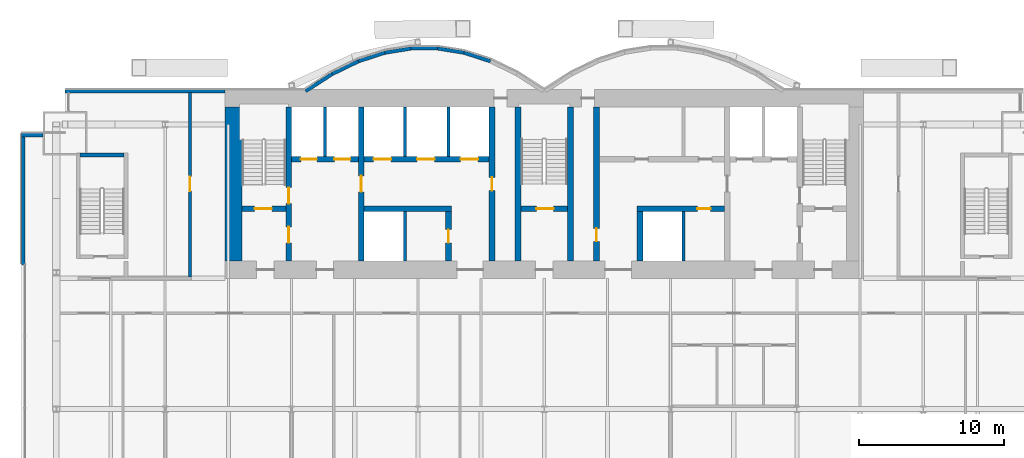
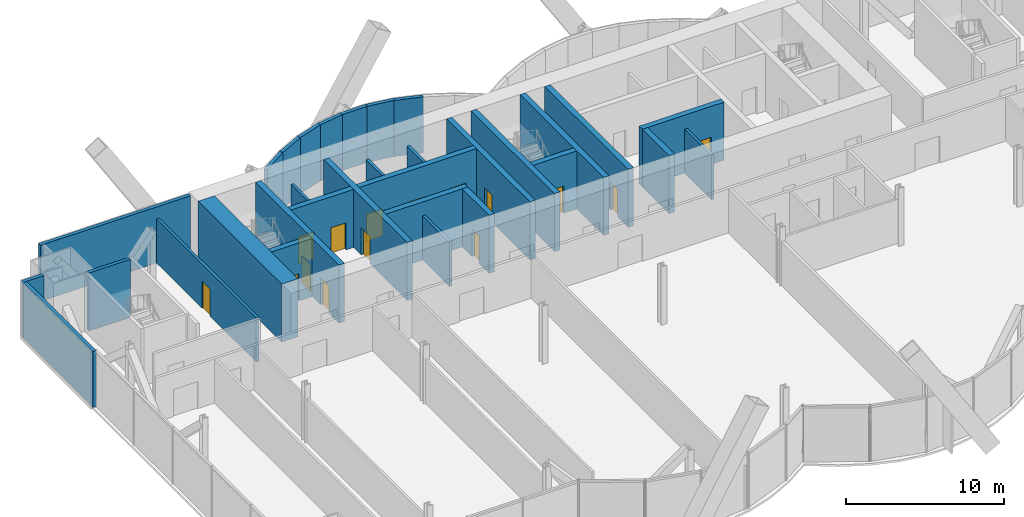
# One storey, part 17 of 22: 31 walls, 15 doors, 15 openings.
"""IFC4 building model written with IfcOpenShell, lengths in metres."""

from ifc_helpers import new_model, si_unit, direction, frame, frame_2d, origin, place, context, subcontext, project, spatial, rectangle, extrude, material, layer, layer_set, layer_usage, type_object, element, fill, save


model = new_model("IFC4")

# Units and contexts
model_context = context("Model", 3, precision=1e-05, world=origin(), true_north=direction((0.0, 1.0)))
body_context = subcontext(model_context, "Body", "Model", "MODEL_VIEW")
ifc_project = project(units=[si_unit("LENGTHUNIT", "METRE"), si_unit("AREAUNIT", "SQUARE_METRE"), si_unit("VOLUMEUNIT", "CUBIC_METRE"), si_unit("PLANEANGLEUNIT", "RADIAN"), si_unit("MASSUNIT", "GRAM", prefix="KILO")], contexts=[model_context])

# Site, building, storey
site_placement = place(None, origin())
site = spatial("IfcSite", under=ifc_project, at=site_placement, CompositionType="ELEMENT")
building_placement = place(site_placement, origin())
building = spatial("IfcBuilding", under=site, at=building_placement, Name="Bicima Exchange Tower", CompositionType="ELEMENT")
storey_placement = place(building_placement, frame((0.0, 0.0, 71.0)))
storey = spatial("IfcBuildingStorey", under=building, at=storey_placement, Name="L14", CompositionType="ELEMENT", Elevation=71.0)

# Walls
ifc_material_1 = material(Name="Gypsum board partition")
ifc_layer_1 = layer(ifc_material_1, 0.199951171875)
ifc_layer_set_1 = layer_set([ifc_layer_1], Name="Gypsum board partition")
wall_type_1 = type_object("IfcWallType", Name="Fire-rated gypsum partition 200 EI120", PredefinedType="PARTITIONING", material=ifc_layer_set_1)
for number, where, z_axis, x_axis, name in (
    (1, (-15.10009765625, -4.60009765625, 0.0), (0.0, 0.0, 1.0), (0.0, 1.0, 0.0), "partition wall 9"),
    (2, (-9.60009765625, -11.800048828125, 0.0), (0.0, 0.0, 1.0), (0.0, 1.0, 0.0), "partition wall 11"),
    (3, (-9.60009765625, -4.60009765625, 0.0), (0.0, 0.0, 1.0), (0.0, 1.0, 0.0), "partition wall 12"),
    (4, (-6.60009765625, -4.60009765625, 0.0), (0.0, 0.0, 1.0), (0.0, 1.0, 0.0), "partition wall 14"),
    (5, (9.60009765625, -11.800048828125, 0.0), (0.0, 0.0, 1.0), (0.0, 1.0, 0.0), "partition wall 20"),
):
    element("IfcWall", number, at=place(storey_placement, frame(where, z_axis=z_axis, x_axis=x_axis)), inside=storey, type_object=wall_type_1, Name=name, PredefinedType="PARTITIONING", context=body_context, shape_type="SweptSolid", body=[
        extrude(rectangle(XDim=3.400146484375, YDim=0.199951171875, at=frame_2d((1.7001953125, 0.0))), origin(), (0.0, 0.0, 1.0), 3.418212890625),
    ])

# Wall, opening, door
ifc_layer_2 = layer(ifc_material_1, 0.199951171875)
ifc_layer_set_2 = layer_set([ifc_layer_2], Name="Gypsum board partition")
wall_type_2 = type_object("IfcWallType", Name="Fire-rated gypsum partition 200 EI60", PredefinedType="PARTITIONING", material=ifc_layer_set_2)
wall_1_placement = place(storey_placement, frame((-24.39990234375, -12.89990234375, 0.0), z_axis=(0.0, 0.0, 1.0), x_axis=(0.0, 1.0, 0.0)))
wall_1 = element("IfcWall", 6, at=wall_1_placement, inside=storey, type_object=wall_type_2, Name="partition wall 16", PredefinedType="PARTITIONING", context=body_context, shape_type="SweptSolid", body=[
    extrude(rectangle(XDim=12.68994140625, YDim=0.199951171875, at=frame_2d((6.344970703125, 0.0))), origin(), (0.0, 0.0, 1.0), 3.418212890625),
])
opening_1_placement = place(wall_1_placement, frame((5.89990234375, 0.0, 0.0)))
opening_1 = element("IfcOpeningElement", 7, at=opening_1_placement, cuts=wall_1, Name="Opening L14-005", PredefinedType="OPENING", context=body_context, shape_type="SweptSolid", body=[
    extrude(rectangle(XDim=1.0, YDim=2.10009765625, at=frame_2d((0.5, 1.050048828125))), frame((0.0, 0.11181640625, 0.0), z_axis=(0.0, -1.0, 0.0), x_axis=(1.0, 0.0, 0.0)), (0.0, 0.0, 1.0), 0.223876953125),
])
ifc_material_2 = material(Name="Steel fire door leaf", Category="steel")
door_type_1 = type_object("IfcDoorType", Name="Door 1000 swing FD30S", OperationType="SINGLE_SWING_LEFT", PredefinedType="DOOR", material=ifc_material_2)
door_1_placement = place(opening_1_placement, origin())
door_1 = element("IfcDoor", 8, at=door_1_placement, inside=storey, type_object=door_type_1, Name="Door", OperationType="SINGLE_SWING_LEFT", OverallHeight=2.10009765625, OverallWidth=1.0, PredefinedType="DOOR", context=body_context, shape_type="SweptSolid", body=[
    extrude(rectangle(XDim=1.0, YDim=2.10009765625, at=frame_2d((0.5, 1.050048828125))), frame((0.0, 0.02490234375, 0.0), z_axis=(0.0, -1.0, 0.0), x_axis=(1.0, 0.0, 0.0)), (0.0, 0.0, 1.0), 0.050048828125),
])
fill(opening_1, door_1)

# Wall
ifc_material_3 = material(Name="Concrete C60/75", Category="concrete")
ifc_layer_3 = layer(ifc_material_3, 1.199951171875)
ifc_layer_set_3 = layer_set([ifc_layer_3], Name="Concrete C60/75")
wall_type_3 = type_object("IfcWallType", Name="RC core wall 1200 C60/75", PredefinedType="SHEAR", material=ifc_layer_set_3)
wall_2_placement = place(storey_placement, frame((-21.39990234375, -11.800048828125, 0.0), z_axis=(0.0, 0.0, 1.0), x_axis=(0.0, 1.0, 0.0)))
element("IfcWall", 9, at=wall_2_placement, inside=storey, type_object=wall_type_3, Name="Core wall west", PredefinedType="SHEAR", context=body_context, shape_type="SweptSolid", body=[
    extrude(rectangle(XDim=10.60009765625, YDim=1.199951171875, at=frame_2d((5.300048828125, 0.0))), origin(), (0.0, 0.0, 1.0), 4.5),
])

# Wall, opening, door
ifc_material_4 = material(Name="Concrete C50/60", Category="concrete")
ifc_layer_4 = layer(ifc_material_4, 0.39990234375)
ifc_layer_set_4 = layer_set([ifc_layer_4], Name="Concrete C50/60")
wall_type_4 = type_object("IfcWallType", Name="RC core wall 400 C50/60", PredefinedType="SHEAR", material=ifc_layer_set_4)
wall_3_placement = place(storey_placement, frame((-20.800048828125, -8.199951171875, 0.0), z_axis=(0.0, 0.0, 1.0), x_axis=(1.0, 0.0, 0.0)))
wall_3 = element("IfcWall", 10, at=wall_3_placement, inside=storey, type_object=wall_type_4, Name="stair wall 1", PredefinedType="SHEAR", context=body_context, shape_type="SweptSolid", body=[
    extrude(rectangle(XDim=3.0, YDim=0.39990234375, at=frame_2d((1.5, 0.0))), origin(), (0.0, 0.0, 1.0), 4.5),
])
opening_2_placement = place(wall_3_placement, frame((0.85009765625, 0.0, 0.0)))
opening_2 = element("IfcOpeningElement", 11, at=opening_2_placement, cuts=wall_3, Name="Opening L14-C01", PredefinedType="OPENING", context=body_context, shape_type="SweptSolid", body=[
    extrude(rectangle(XDim=1.199951171875, YDim=2.10009765625, at=frame_2d((0.60009765625, 1.050048828125))), frame((0.0, 0.2119140625, 0.0), z_axis=(0.0, -1.0, 0.0), x_axis=(1.0, 0.0, 0.0)), (0.0, 0.0, 1.0), 0.423828125),
])
door_type_2 = type_object("IfcDoorType", Name="Door 1200 swing FD60S", OperationType="SINGLE_SWING_LEFT", PredefinedType="DOOR", material=ifc_material_2)
door_2_placement = place(opening_2_placement, origin())
door_2 = element("IfcDoor", 12, at=door_2_placement, inside=storey, type_object=door_type_2, Name="Core door", OperationType="SINGLE_SWING_LEFT", OverallHeight=2.10009765625, OverallWidth=1.199951171875, PredefinedType="DOOR", context=body_context, shape_type="SweptSolid", body=[
    extrude(rectangle(XDim=1.199951171875, YDim=2.10009765625, at=frame_2d((0.60009765625, 1.050048828125))), frame((0.0, 0.02490234375, 0.0), z_axis=(0.0, -1.0, 0.0), x_axis=(1.0, 0.0, 0.0)), (0.0, 0.0, 1.0), 0.050048828125),
])
fill(opening_2, door_2)

wall_4_placement = place(storey_placement, frame((-1.60009765625, -8.199951171875, 0.0), z_axis=(0.0, 0.0, 1.0), x_axis=(1.0, 0.0, 0.0)))
wall_4 = element("IfcWall", 13, at=wall_4_placement, inside=storey, type_object=wall_type_4, Name="stair wall 3", PredefinedType="SHEAR", context=body_context, shape_type="SweptSolid", body=[
    extrude(rectangle(XDim=3.2001953125, YDim=0.39990234375, at=frame_2d((1.60009765625, 0.0))), origin(), (0.0, 0.0, 1.0), 4.5),
])
opening_3_placement = place(wall_4_placement, frame((1.050048828125, 0.0, 0.0)))
opening_3 = element("IfcOpeningElement", 14, at=opening_3_placement, cuts=wall_4, Name="Opening L14-C03", PredefinedType="OPENING", context=body_context, shape_type="SweptSolid", body=[
    extrude(rectangle(XDim=1.199951171875, YDim=2.10009765625, at=frame_2d((0.60009765625, 1.050048828125))), frame((0.0, 0.2119140625, 0.0), z_axis=(0.0, -1.0, 0.0), x_axis=(1.0, 0.0, 0.0)), (0.0, 0.0, 1.0), 0.423828125),
])
door_3_placement = place(opening_3_placement, origin())
door_3 = element("IfcDoor", 15, at=door_3_placement, inside=storey, type_object=door_type_2, Name="Core door", OperationType="SINGLE_SWING_LEFT", OverallHeight=2.10009765625, OverallWidth=1.199951171875, PredefinedType="DOOR", context=body_context, shape_type="SweptSolid", body=[
    extrude(rectangle(XDim=1.199951171875, YDim=2.10009765625, at=frame_2d((0.60009765625, 1.050048828125))), frame((0.0, 0.02490234375, 0.0), z_axis=(0.0, -1.0, 0.0), x_axis=(1.0, 0.0, 0.0)), (0.0, 0.0, 1.0), 0.050048828125),
])
fill(opening_3, door_3)

# Wall, openings, doors
wall_5_placement = place(storey_placement, frame((-17.60009765625, -11.800048828125, 0.0), z_axis=(0.0, 0.0, 1.0), x_axis=(0.0, 1.0, 0.0)))
wall_5 = element("IfcWall", 16, at=wall_5_placement, inside=storey, type_object=wall_type_4, Name="stair wall 8", PredefinedType="SHEAR", context=body_context, shape_type="SweptSolid", body=[
    extrude(rectangle(XDim=10.60009765625, YDim=0.39990234375, at=frame_2d((5.300048828125, 0.0))), origin(), (0.0, 0.0, 1.0), 4.5),
])
opening_4_placement = place(wall_5_placement, frame((1.25, 0.0, 0.0)))
opening_4 = element("IfcOpeningElement", 17, at=opening_4_placement, cuts=wall_5, Name="Opening L14-C02", PredefinedType="OPENING", context=body_context, shape_type="SweptSolid", body=[
    extrude(rectangle(XDim=1.10009765625, YDim=2.10009765625, at=frame_2d((0.550048828125, 1.050048828125))), frame((0.0, 0.2119140625, 0.0), z_axis=(0.0, -1.0, 0.0), x_axis=(1.0, 0.0, 0.0)), (0.0, 0.0, 1.0), 0.423828125),
])
opening_5_placement = place(wall_5_placement, frame((3.949951171875, 0.0, 0.0)))
opening_5 = element("IfcOpeningElement", 18, at=opening_5_placement, cuts=wall_5, Name="Opening L14-C06", PredefinedType="OPENING", context=body_context, shape_type="SweptSolid", body=[
    extrude(rectangle(XDim=1.10009765625, YDim=2.10009765625, at=frame_2d((0.550048828125, 1.050048828125))), frame((0.0, 0.2119140625, 0.0), z_axis=(0.0, -1.0, 0.0), x_axis=(1.0, 0.0, 0.0)), (0.0, 0.0, 1.0), 0.423828125),
])
door_type_3 = type_object("IfcDoorType", Name="Door 1100 swing FD60S", OperationType="SINGLE_SWING_LEFT", PredefinedType="DOOR", material=ifc_material_2)
door_4_placement = place(opening_4_placement, frame((1.10009765625, 0.0, 0.0), z_axis=(0.0, 0.0, 1.0), x_axis=(-1.0, 0.0, 0.0)))
door_4 = element("IfcDoor", 19, at=door_4_placement, inside=storey, type_object=door_type_3, Name="Core door", OperationType="SINGLE_SWING_LEFT", OverallHeight=2.10009765625, OverallWidth=1.10009765625, PredefinedType="DOOR", context=body_context, shape_type="SweptSolid", body=[
    extrude(rectangle(XDim=1.10009765625, YDim=2.10009765625, at=frame_2d((0.550048828125, 1.050048828125))), frame((0.0, 0.02490234375, 0.0), z_axis=(0.0, -1.0, 0.0), x_axis=(1.0, 0.0, 0.0)), (0.0, 0.0, 1.0), 0.050048828125),
])
fill(opening_4, door_4)
door_5_placement = place(opening_5_placement, frame((1.10009765625, 0.0, 0.0), z_axis=(0.0, 0.0, 1.0), x_axis=(-1.0, 0.0, 0.0)))
door_5 = element("IfcDoor", 20, at=door_5_placement, inside=storey, type_object=door_type_3, Name="Core door", OperationType="SINGLE_SWING_LEFT", OverallHeight=2.10009765625, OverallWidth=1.10009765625, PredefinedType="DOOR", context=body_context, shape_type="SweptSolid", body=[
    extrude(rectangle(XDim=1.10009765625, YDim=2.10009765625, at=frame_2d((0.550048828125, 1.050048828125))), frame((0.0, 0.02490234375, 0.0), z_axis=(0.0, -1.0, 0.0), x_axis=(1.0, 0.0, 0.0)), (0.0, 0.0, 1.0), 0.050048828125),
])
fill(opening_5, door_5)

# Walls
for number, where, z_axis, x_axis, name in (
    (21, (-1.800048828125, -11.800048828125, 0.0), (0.0, 0.0, 1.0), (0.0, 1.0, 0.0), "stair wall 16"),
    (22, (1.800048828125, -11.800048828125, 0.0), (0.0, 0.0, 1.0), (0.0, 1.0, 0.0), "stair wall 17"),
):
    element("IfcWall", number, at=place(storey_placement, frame(where, z_axis=z_axis, x_axis=x_axis)), inside=storey, type_object=wall_type_4, Name=name, PredefinedType="SHEAR", context=body_context, shape_type="SweptSolid", body=[
        extrude(rectangle(XDim=10.60009765625, YDim=0.39990234375, at=frame_2d((5.300048828125, 0.0))), origin(), (0.0, 0.0, 1.0), 4.5),
    ])
ifc_layer_5 = layer(ifc_material_3, 0.39990234375)
ifc_layer_set_5 = layer_set([ifc_layer_5], Name="Concrete C60/75")
wall_type_5 = type_object("IfcWallType", Name="RC core wall 400 C60/75", PredefinedType="SHEAR", material=ifc_layer_set_5)
wall_6_placement = place(storey_placement, frame((-12.39990234375, -8.199951171875, 0.0), z_axis=(0.0, 0.0, 1.0), x_axis=(1.0, 0.0, 0.0)))
element("IfcWall", 23, at=wall_6_placement, inside=storey, type_object=wall_type_5, Name="shear wall 2", PredefinedType="SHEAR", context=body_context, shape_type="SweptSolid", body=[
    extrude(rectangle(XDim=6.0, YDim=0.39990234375, at=frame_2d((3.0, 0.0))), origin(), (0.0, 0.0, 1.0), 4.5),
])

# Wall, opening, door
wall_7_placement = place(storey_placement, frame((6.39990234375, -8.199951171875, 0.0), z_axis=(0.0, 0.0, 1.0), x_axis=(1.0, 0.0, 0.0)))
wall_7 = element("IfcWall", 24, at=wall_7_placement, inside=storey, type_object=wall_type_5, Name="shear wall 4", PredefinedType="SHEAR", context=body_context, shape_type="SweptSolid", body=[
    extrude(rectangle(XDim=6.0, YDim=0.39990234375, at=frame_2d((3.0, 0.0))), origin(), (0.0, 0.0, 1.0), 4.5),
])
opening_6_placement = place(wall_7_placement, frame((4.14990234375, 0.0, 0.0)))
opening_6 = element("IfcOpeningElement", 25, at=opening_6_placement, cuts=wall_7, Name="Opening L14-C15", PredefinedType="OPENING", context=body_context, shape_type="SweptSolid", body=[
    extrude(rectangle(XDim=0.89990234375, YDim=2.10009765625, at=frame_2d((0.449951171875, 1.050048828125))), frame((0.0, 0.2119140625, 0.0), z_axis=(0.0, -1.0, 0.0), x_axis=(1.0, 0.0, 0.0)), (0.0, 0.0, 1.0), 0.423828125),
])
door_type_4 = type_object("IfcDoorType", Name="Door 900 swing FD30S", OperationType="SINGLE_SWING_LEFT", PredefinedType="DOOR", material=ifc_material_2)
door_6_placement = place(opening_6_placement, frame((0.89990234375, 0.0, 0.0), z_axis=(0.0, 0.0, 1.0), x_axis=(-1.0, 0.0, 0.0)))
door_6 = element("IfcDoor", 26, at=door_6_placement, inside=storey, type_object=door_type_4, Name="Core door", OperationType="SINGLE_SWING_RIGHT", OverallHeight=2.10009765625, OverallWidth=0.89990234375, PredefinedType="DOOR", context=body_context, shape_type="SweptSolid", body=[
    extrude(rectangle(XDim=0.89990234375, YDim=2.10009765625, at=frame_2d((0.449951171875, 1.050048828125))), frame((0.0, 0.02490234375, 0.0), z_axis=(0.0, -1.0, 0.0), x_axis=(1.0, 0.0, 0.0)), (0.0, 0.0, 1.0), 0.050048828125),
])
fill(opening_6, door_6)

# Wall, openings, doors
wall_8_placement = place(storey_placement, frame((-17.39990234375, -4.800048828125, 0.0), z_axis=(0.0, 0.0, 1.0), x_axis=(1.0, 0.0, 0.0)))
wall_8 = element("IfcWall", 27, at=wall_8_placement, inside=storey, type_object=wall_type_5, Name="shear wall 6", PredefinedType="SHEAR", context=body_context, shape_type="SweptSolid", body=[
    extrude(rectangle(XDim=13.599853515625, YDim=0.39990234375, at=frame_2d((6.7998046875, 0.0))), origin(), (0.0, 0.0, 1.0), 4.5),
])
opening_7_placement = place(wall_8_placement, frame((0.64990234375, 0.0, 0.0)))
opening_7 = element("IfcOpeningElement", 28, at=opening_7_placement, cuts=wall_8, Name="Opening LD-FF1-L14", PredefinedType="OPENING", context=body_context, shape_type="SweptSolid", body=[
    extrude(rectangle(XDim=1.10009765625, YDim=2.10009765625, at=frame_2d((0.550048828125, 1.050048828125))), frame((0.0, 0.2119140625, 0.0), z_axis=(0.0, -1.0, 0.0), x_axis=(1.0, 0.0, 0.0)), (0.0, 0.0, 1.0), 0.423828125),
])
opening_8_placement = place(wall_8_placement, frame((2.949951171875, 0.0, 0.0)))
opening_8 = element("IfcOpeningElement", 29, at=opening_8_placement, cuts=wall_8, Name="Opening LD-FF3-L14", PredefinedType="OPENING", context=body_context, shape_type="SweptSolid", body=[
    extrude(rectangle(XDim=1.10009765625, YDim=2.10009765625, at=frame_2d((0.550048828125, 1.050048828125))), frame((0.0, 0.2119140625, 0.0), z_axis=(0.0, -1.0, 0.0), x_axis=(1.0, 0.0, 0.0)), (0.0, 0.0, 1.0), 0.423828125),
])
opening_9_placement = place(wall_8_placement, frame((5.64990234375, 0.0, 0.0)))
opening_9 = element("IfcOpeningElement", 30, at=opening_9_placement, cuts=wall_8, Name="Opening LD-LB1-L14", PredefinedType="OPENING", context=body_context, shape_type="SweptSolid", body=[
    extrude(rectangle(XDim=1.199951171875, YDim=2.10009765625, at=frame_2d((0.60009765625, 1.050048828125))), frame((0.0, 0.2119140625, 0.0), z_axis=(0.0, -1.0, 0.0), x_axis=(1.0, 0.0, 0.0)), (0.0, 0.0, 1.0), 0.423828125),
])
opening_10_placement = place(wall_8_placement, frame((8.64990234375, 0.0, 0.0)))
opening_10 = element("IfcOpeningElement", 31, at=opening_10_placement, cuts=wall_8, Name="Opening LD-LB2-L14", PredefinedType="OPENING", context=body_context, shape_type="SweptSolid", body=[
    extrude(rectangle(XDim=1.199951171875, YDim=2.10009765625, at=frame_2d((0.60009765625, 1.050048828125))), frame((0.0, 0.2119140625, 0.0), z_axis=(0.0, -1.0, 0.0), x_axis=(1.0, 0.0, 0.0)), (0.0, 0.0, 1.0), 0.423828125),
])
opening_11_placement = place(wall_8_placement, frame((11.64990234375, 0.0, 0.0)))
opening_11 = element("IfcOpeningElement", 32, at=opening_11_placement, cuts=wall_8, Name="Opening LD-LB3-L14", PredefinedType="OPENING", context=body_context, shape_type="SweptSolid", body=[
    extrude(rectangle(XDim=1.199951171875, YDim=2.10009765625, at=frame_2d((0.60009765625, 1.050048828125))), frame((0.0, 0.2119140625, 0.0), z_axis=(0.0, -1.0, 0.0), x_axis=(1.0, 0.0, 0.0)), (0.0, 0.0, 1.0), 0.423828125),
])
ifc_material_5 = material(Name="Stainless steel", Category="steel")
door_type_5 = type_object("IfcDoorType", Name="Lift landing door 1100 sliding", OperationType="DOUBLE_DOOR_SLIDING", PredefinedType="DOOR", material=ifc_material_5)
door_7_placement = place(opening_7_placement, origin())
door_7 = element("IfcDoor", 33, at=door_7_placement, inside=storey, type_object=door_type_5, Name="Lift landing door FF1", OperationType="DOUBLE_DOOR_SLIDING", OverallHeight=2.10009765625, OverallWidth=1.10009765625, PredefinedType="DOOR", context=body_context, shape_type="SweptSolid", body=[
    extrude(rectangle(XDim=1.10009765625, YDim=2.10009765625, at=frame_2d((0.550048828125, 1.050048828125))), frame((0.0, 0.02490234375, 0.0), z_axis=(0.0, -1.0, 0.0), x_axis=(1.0, 0.0, 0.0)), (0.0, 0.0, 1.0), 0.050048828125),
])
fill(opening_7, door_7)
door_8_placement = place(opening_8_placement, origin())
door_8 = element("IfcDoor", 34, at=door_8_placement, inside=storey, type_object=door_type_5, Name="Lift landing door FF3", OperationType="DOUBLE_DOOR_SLIDING", OverallHeight=2.10009765625, OverallWidth=1.10009765625, PredefinedType="DOOR", context=body_context, shape_type="SweptSolid", body=[
    extrude(rectangle(XDim=1.10009765625, YDim=2.10009765625, at=frame_2d((0.550048828125, 1.050048828125))), frame((0.0, 0.02490234375, 0.0), z_axis=(0.0, -1.0, 0.0), x_axis=(1.0, 0.0, 0.0)), (0.0, 0.0, 1.0), 0.050048828125),
])
fill(opening_8, door_8)
door_type_6 = type_object("IfcDoorType", Name="Lift landing door 1200 sliding", OperationType="DOUBLE_DOOR_SLIDING", PredefinedType="DOOR", material=ifc_material_5)
door_9_placement = place(opening_9_placement, origin())
door_9 = element("IfcDoor", 35, at=door_9_placement, inside=storey, type_object=door_type_6, Name="Lift landing door LB1", OperationType="DOUBLE_DOOR_SLIDING", OverallHeight=2.10009765625, OverallWidth=1.199951171875, PredefinedType="DOOR", context=body_context, shape_type="SweptSolid", body=[
    extrude(rectangle(XDim=1.199951171875, YDim=2.10009765625, at=frame_2d((0.60009765625, 1.050048828125))), frame((0.0, 0.02490234375, 0.0), z_axis=(0.0, -1.0, 0.0), x_axis=(1.0, 0.0, 0.0)), (0.0, 0.0, 1.0), 0.050048828125),
])
fill(opening_9, door_9)
door_10_placement = place(opening_10_placement, origin())
door_10 = element("IfcDoor", 36, at=door_10_placement, inside=storey, type_object=door_type_6, Name="Lift landing door LB2", OperationType="DOUBLE_DOOR_SLIDING", OverallHeight=2.10009765625, OverallWidth=1.199951171875, PredefinedType="DOOR", context=body_context, shape_type="SweptSolid", body=[
    extrude(rectangle(XDim=1.199951171875, YDim=2.10009765625, at=frame_2d((0.60009765625, 1.050048828125))), frame((0.0, 0.02490234375, 0.0), z_axis=(0.0, -1.0, 0.0), x_axis=(1.0, 0.0, 0.0)), (0.0, 0.0, 1.0), 0.050048828125),
])
fill(opening_10, door_10)
door_11_placement = place(opening_11_placement, origin())
door_11 = element("IfcDoor", 37, at=door_11_placement, inside=storey, type_object=door_type_6, Name="Lift landing door LB3", OperationType="DOUBLE_DOOR_SLIDING", OverallHeight=2.10009765625, OverallWidth=1.199951171875, PredefinedType="DOOR", context=body_context, shape_type="SweptSolid", body=[
    extrude(rectangle(XDim=1.199951171875, YDim=2.10009765625, at=frame_2d((0.60009765625, 1.050048828125))), frame((0.0, 0.02490234375, 0.0), z_axis=(0.0, -1.0, 0.0), x_axis=(1.0, 0.0, 0.0)), (0.0, 0.0, 1.0), 0.050048828125),
])
fill(opening_11, door_11)

# Wall, opening, door
wall_9_placement = place(storey_placement, frame((-12.60009765625, -11.800048828125, 0.0), z_axis=(0.0, 0.0, 1.0), x_axis=(0.0, 1.0, 0.0)))
wall_9 = element("IfcWall", 38, at=wall_9_placement, inside=storey, type_object=wall_type_5, Name="shear wall 10", PredefinedType="SHEAR", context=body_context, shape_type="SweptSolid", body=[
    extrude(rectangle(XDim=10.60009765625, YDim=0.39990234375, at=frame_2d((5.300048828125, 0.0))), origin(), (0.0, 0.0, 1.0), 4.5),
])
opening_12_placement = place(wall_9_placement, frame((4.75, 0.0, 0.0)))
opening_12 = element("IfcOpeningElement", 39, at=opening_12_placement, cuts=wall_9, Name="Opening L14-C07", PredefinedType="OPENING", context=body_context, shape_type="SweptSolid", body=[
    extrude(rectangle(XDim=1.10009765625, YDim=2.10009765625, at=frame_2d((0.550048828125, 1.050048828125))), frame((0.0, 0.2119140625, 0.0), z_axis=(0.0, -1.0, 0.0), x_axis=(1.0, 0.0, 0.0)), (0.0, 0.0, 1.0), 0.423828125),
])
door_12_placement = place(opening_12_placement, origin())
door_12 = element("IfcDoor", 40, at=door_12_placement, inside=storey, type_object=door_type_3, Name="Core door", OperationType="SINGLE_SWING_LEFT", OverallHeight=2.10009765625, OverallWidth=1.10009765625, PredefinedType="DOOR", context=body_context, shape_type="SweptSolid", body=[
    extrude(rectangle(XDim=1.10009765625, YDim=2.10009765625, at=frame_2d((0.550048828125, 1.050048828125))), frame((0.0, 0.02490234375, 0.0), z_axis=(0.0, -1.0, 0.0), x_axis=(1.0, 0.0, 0.0)), (0.0, 0.0, 1.0), 0.050048828125),
])
fill(opening_12, door_12)

wall_10_placement = place(storey_placement, frame((-6.60009765625, -11.800048828125, 0.0), z_axis=(0.0, 0.0, 1.0), x_axis=(0.0, 1.0, 0.0)))
wall_10 = element("IfcWall", 41, at=wall_10_placement, inside=storey, type_object=wall_type_5, Name="shear wall 13", PredefinedType="SHEAR", context=body_context, shape_type="SweptSolid", body=[
    extrude(rectangle(XDim=3.400146484375, YDim=0.39990234375, at=frame_2d((1.7001953125, 0.0))), origin(), (0.0, 0.0, 1.0), 4.5),
])
opening_13_placement = place(wall_10_placement, frame((1.25, 0.0, 0.0)))
opening_13 = element("IfcOpeningElement", 42, at=opening_13_placement, cuts=wall_10, Name="Opening L14-C14", PredefinedType="OPENING", context=body_context, shape_type="SweptSolid", body=[
    extrude(rectangle(XDim=0.89990234375, YDim=2.10009765625, at=frame_2d((0.449951171875, 1.050048828125))), frame((0.0, 0.2119140625, 0.0), z_axis=(0.0, -1.0, 0.0), x_axis=(1.0, 0.0, 0.0)), (0.0, 0.0, 1.0), 0.423828125),
])
door_13_placement = place(opening_13_placement, origin())
door_13 = element("IfcDoor", 43, at=door_13_placement, inside=storey, type_object=door_type_4, Name="Core door", OperationType="SINGLE_SWING_RIGHT", OverallHeight=2.10009765625, OverallWidth=0.89990234375, PredefinedType="DOOR", context=body_context, shape_type="SweptSolid", body=[
    extrude(rectangle(XDim=0.89990234375, YDim=2.10009765625, at=frame_2d((0.449951171875, 1.050048828125))), frame((0.0, 0.02490234375, 0.0), z_axis=(0.0, -1.0, 0.0), x_axis=(1.0, 0.0, 0.0)), (0.0, 0.0, 1.0), 0.050048828125),
])
fill(opening_13, door_13)

wall_11_placement = place(storey_placement, frame((-3.60009765625, -11.800048828125, 0.0), z_axis=(0.0, 0.0, 1.0), x_axis=(0.0, 1.0, 0.0)))
wall_11 = element("IfcWall", 44, at=wall_11_placement, inside=storey, type_object=wall_type_5, Name="shear wall 15", PredefinedType="SHEAR", context=body_context, shape_type="SweptSolid", body=[
    extrude(rectangle(XDim=10.60009765625, YDim=0.39990234375, at=frame_2d((5.300048828125, 0.0))), origin(), (0.0, 0.0, 1.0), 4.5),
])
opening_14_placement = place(wall_11_placement, frame((4.85009765625, 0.0, 0.0)))
opening_14 = element("IfcOpeningElement", 45, at=opening_14_placement, cuts=wall_11, Name="Opening L14-C10", PredefinedType="OPENING", context=body_context, shape_type="SweptSolid", body=[
    extrude(rectangle(XDim=0.89990234375, YDim=2.10009765625, at=frame_2d((0.449951171875, 1.050048828125))), frame((0.0, 0.2119140625, 0.0), z_axis=(0.0, -1.0, 0.0), x_axis=(1.0, 0.0, 0.0)), (0.0, 0.0, 1.0), 0.423828125),
])
door_14_placement = place(opening_14_placement, frame((0.89990234375, 0.0, 0.0), z_axis=(0.0, 0.0, 1.0), x_axis=(-1.0, 0.0, 0.0)))
door_14 = element("IfcDoor", 46, at=door_14_placement, inside=storey, type_object=door_type_4, Name="Core door", OperationType="SINGLE_SWING_LEFT", OverallHeight=2.10009765625, OverallWidth=0.89990234375, PredefinedType="DOOR", context=body_context, shape_type="SweptSolid", body=[
    extrude(rectangle(XDim=0.89990234375, YDim=2.10009765625, at=frame_2d((0.449951171875, 1.050048828125))), frame((0.0, 0.02490234375, 0.0), z_axis=(0.0, -1.0, 0.0), x_axis=(1.0, 0.0, 0.0)), (0.0, 0.0, 1.0), 0.050048828125),
])
fill(opening_14, door_14)

wall_12_placement = place(storey_placement, frame((3.60009765625, -11.800048828125, 0.0), z_axis=(0.0, 0.0, 1.0), x_axis=(0.0, 1.0, 0.0)))
wall_12 = element("IfcWall", 47, at=wall_12_placement, inside=storey, type_object=wall_type_5, Name="shear wall 18", PredefinedType="SHEAR", context=body_context, shape_type="SweptSolid", body=[
    extrude(rectangle(XDim=10.60009765625, YDim=0.39990234375, at=frame_2d((5.300048828125, 0.0))), origin(), (0.0, 0.0, 1.0), 4.5),
])
opening_15_placement = place(wall_12_placement, frame((1.35009765625, 0.0, 0.0)))
opening_15 = element("IfcOpeningElement", 48, at=opening_15_placement, cuts=wall_12, Name="Opening L14-C11", PredefinedType="OPENING", context=body_context, shape_type="SweptSolid", body=[
    extrude(rectangle(XDim=0.89990234375, YDim=2.10009765625, at=frame_2d((0.449951171875, 1.050048828125))), frame((0.0, 0.2119140625, 0.0), z_axis=(0.0, -1.0, 0.0), x_axis=(1.0, 0.0, 0.0)), (0.0, 0.0, 1.0), 0.423828125),
])
door_15_placement = place(opening_15_placement, origin())
door_15 = element("IfcDoor", 49, at=door_15_placement, inside=storey, type_object=door_type_4, Name="Core door", OperationType="SINGLE_SWING_LEFT", OverallHeight=2.10009765625, OverallWidth=0.89990234375, PredefinedType="DOOR", context=body_context, shape_type="SweptSolid", body=[
    extrude(rectangle(XDim=0.89990234375, YDim=2.10009765625, at=frame_2d((0.449951171875, 1.050048828125))), frame((0.0, 0.02490234375, 0.0), z_axis=(0.0, -1.0, 0.0), x_axis=(1.0, 0.0, 0.0)), (0.0, 0.0, 1.0), 0.050048828125),
])
fill(opening_15, door_15)

# Walls
wall_13_placement = place(storey_placement, frame((6.60009765625, -11.800048828125, 0.0), z_axis=(0.0, 0.0, 1.0), x_axis=(0.0, 1.0, 0.0)))
element("IfcWall", 50, at=wall_13_placement, inside=storey, type_object=wall_type_5, Name="shear wall 19", PredefinedType="SHEAR", context=body_context, shape_type="SweptSolid", body=[
    extrude(rectangle(XDim=3.400146484375, YDim=0.39990234375, at=frame_2d((1.7001953125, 0.0))), origin(), (0.0, 0.0, 1.0), 4.5),
])
ifc_layer_6 = layer(ifc_material_4, 0.25)
ifc_layer_set_6 = layer_set([ifc_layer_6], Name="Concrete C50/60")
wall_type_6 = type_object("IfcWallType", Name="RC stair enclosure wall 250 C50/60", PredefinedType="SHEAR", material=ifc_layer_set_6)
wall_14_placement = place(storey_placement, frame((-31.97509765625, -4.5, 0.0), z_axis=(0.0, 0.0, 1.0), x_axis=(1.0, 0.0, 0.0)))
element("IfcWall", 51, at=wall_14_placement, inside=storey, type_object=wall_type_6, Name="West end exit stair wall N", PredefinedType="SHEAR", context=body_context, shape_type="SweptSolid", body=[
    extrude(rectangle(XDim=3.050048828125, YDim=0.25, at=frame_2d((1.52490234375, 0.0))), origin(), (0.0, 0.0, 1.0), 4.5),
])
ifc_material_6 = material(Name="Concrete C40/50", Category="concrete")
ifc_layer_7 = layer(ifc_material_6, 0.25)
ifc_layer_set_7 = layer_set([ifc_layer_7], Name="Concrete C40/50")
ifc_layer_usage = layer_usage(ifc_layer_set_7, "AXIS2", "POSITIVE", -0.125)
wall_type_7 = type_object("IfcWallType", Name="Rear backup wall 250", PredefinedType="STANDARD", material=ifc_layer_set_7)
wall_15_placement = place(storey_placement, frame((-3.705078125, 1.955078125, 0.0), z_axis=(0.0, 0.0, 1.0), x_axis=(-0.951495806175, 0.307661714928, 0.0)))
element("IfcWall", 52, at=wall_15_placement, inside=storey, type_object=wall_type_7, material=ifc_layer_usage, Name="Rear backup wall L14 13", PredefinedType="STANDARD", context=body_context, shape_type="SweptSolid", body=[
    extrude(rectangle(XDim=1.9267578125, YDim=0.25, at=frame_2d((0.96337890625, 0.0))), origin(), (0.0, 0.0, 1.0), 4.35009765625),
])
wall_16_placement = place(storey_placement, frame((-5.52001953125, 2.543212890625, 0.0), z_axis=(0.0, 0.0, 1.0), x_axis=(-0.987181718931, 0.159600293885, 0.0)))
element("IfcWall", 53, at=wall_16_placement, inside=storey, type_object=wall_type_7, material=ifc_layer_usage, Name="Rear backup wall L14 14", PredefinedType="STANDARD", context=body_context, shape_type="SweptSolid", body=[
    extrude(rectangle(XDim=1.857177734375, YDim=0.25, at=frame_2d((0.9287109375, 0.0))), origin(), (0.0, 0.0, 1.0), 4.35009765625),
])
wall_17_placement = place(storey_placement, frame((-7.333251953125, 2.837890625, 0.0), z_axis=(0.0, 0.0, 1.0), x_axis=(-1.0, 0.0, 0.0)))
element("IfcWall", 54, at=wall_17_placement, inside=storey, type_object=wall_type_7, material=ifc_layer_usage, Name="Rear backup wall L14 15", PredefinedType="STANDARD", context=body_context, shape_type="SweptSolid", body=[
    extrude(rectangle(XDim=1.83349609375, YDim=0.25, at=frame_2d((0.916748046875, 0.0))), origin(), (0.0, 0.0, 1.0), 4.35009765625),
])
wall_18_placement = place(storey_placement, frame((-9.146728515625, 2.839599609375, 0.0), z_axis=(0.0, 0.0, 1.0), x_axis=(-0.987181718931, -0.159600293885, 0.0)))
element("IfcWall", 55, at=wall_18_placement, inside=storey, type_object=wall_type_7, material=ifc_layer_usage, Name="Rear backup wall L14 16", PredefinedType="STANDARD", context=body_context, shape_type="SweptSolid", body=[
    extrude(rectangle(XDim=1.857177734375, YDim=0.25, at=frame_2d((0.9287109375, 0.0))), origin(), (0.0, 0.0, 1.0), 4.35009765625),
])
wall_19_placement = place(storey_placement, frame((-10.961669921875, 2.5478515625, 0.0), z_axis=(0.0, 0.0, 1.0), x_axis=(-0.951495806175, -0.307661714928, 0.0)))
element("IfcWall", 56, at=wall_19_placement, inside=storey, type_object=wall_type_7, material=ifc_layer_usage, Name="Rear backup wall L14 17", PredefinedType="STANDARD", context=body_context, shape_type="SweptSolid", body=[
    extrude(rectangle(XDim=1.9267578125, YDim=0.25, at=frame_2d((0.96337890625, 0.0))), origin(), (0.0, 0.0, 1.0), 4.35009765625),
])
wall_20_placement = place(storey_placement, frame((-12.77880859375, 1.961669921875, 0.0), z_axis=(0.0, 0.0, 1.0), x_axis=(-0.89982408427, -0.436252928206, 0.0)))
element("IfcWall", 57, at=wall_20_placement, inside=storey, type_object=wall_type_7, material=ifc_layer_usage, Name="Rear backup wall L14 18", PredefinedType="STANDARD", context=body_context, shape_type="SweptSolid", body=[
    extrude(rectangle(XDim=2.03759765625, YDim=0.25, at=frame_2d((1.018798828125, 0.0))), origin(), (0.0, 0.0, 1.0), 4.35009765625),
])
wall_21_placement = place(storey_placement, frame((-14.598876953125, 1.080078125, 0.0), z_axis=(0.0, 0.0, 1.0), x_axis=(-0.83981312244, -0.542875602121, 0.0)))
element("IfcWall", 58, at=wall_21_placement, inside=storey, type_object=wall_type_7, material=ifc_layer_usage, Name="Rear backup wall L14 19", PredefinedType="STANDARD", context=body_context, shape_type="SweptSolid", body=[
    extrude(rectangle(XDim=2.182861328125, YDim=0.25, at=frame_2d((1.09130859375, 0.0))), origin(), (0.0, 0.0, 1.0), 4.35009765625),
])
wall_22_placement = place(storey_placement, frame((-22.0, -0.125, 0.0), z_axis=(0.0, 0.0, 1.0), x_axis=(-1.0, 0.0, 0.0)))
element("IfcWall", 59, at=wall_22_placement, inside=storey, type_object=wall_type_7, material=ifc_layer_usage, Name="Rear backup wall L14 20", PredefinedType="STANDARD", context=body_context, shape_type="SweptSolid", body=[
    extrude(rectangle(XDim=11.0, YDim=0.25, at=frame_2d((5.5, 0.0))), origin(), (0.0, 0.0, 1.0), 4.35009765625),
])
wall_23_placement = place(storey_placement, frame((-34.5, -3.125, 0.0), z_axis=(0.0, 0.0, 1.0), x_axis=(-1.0, 0.0, 0.0)))
element("IfcWall", 60, at=wall_23_placement, inside=storey, type_object=wall_type_7, material=ifc_layer_usage, Name="Rear backup wall L14 22", PredefinedType="STANDARD", context=body_context, shape_type="SweptSolid", body=[
    extrude(rectangle(XDim=1.5, YDim=0.25, at=frame_2d((0.75, 0.0))), origin(), (0.0, 0.0, 1.0), 4.35009765625),
])
wall_24_placement = place(storey_placement, frame((-35.875, -3.0, 0.0), z_axis=(0.0, 0.0, 1.0), x_axis=(0.0, -1.0, 0.0)))
element("IfcWall", 61, at=wall_24_placement, inside=storey, type_object=wall_type_7, material=ifc_layer_usage, Name="Rear backup wall L14 23", PredefinedType="STANDARD", context=body_context, shape_type="SweptSolid", body=[
    extrude(rectangle(XDim=9.090087890625, YDim=0.25, at=frame_2d((4.544921875, 0.0))), origin(), (0.0, 0.0, 1.0), 4.35009765625),
])

save(model, "model.ifc")
